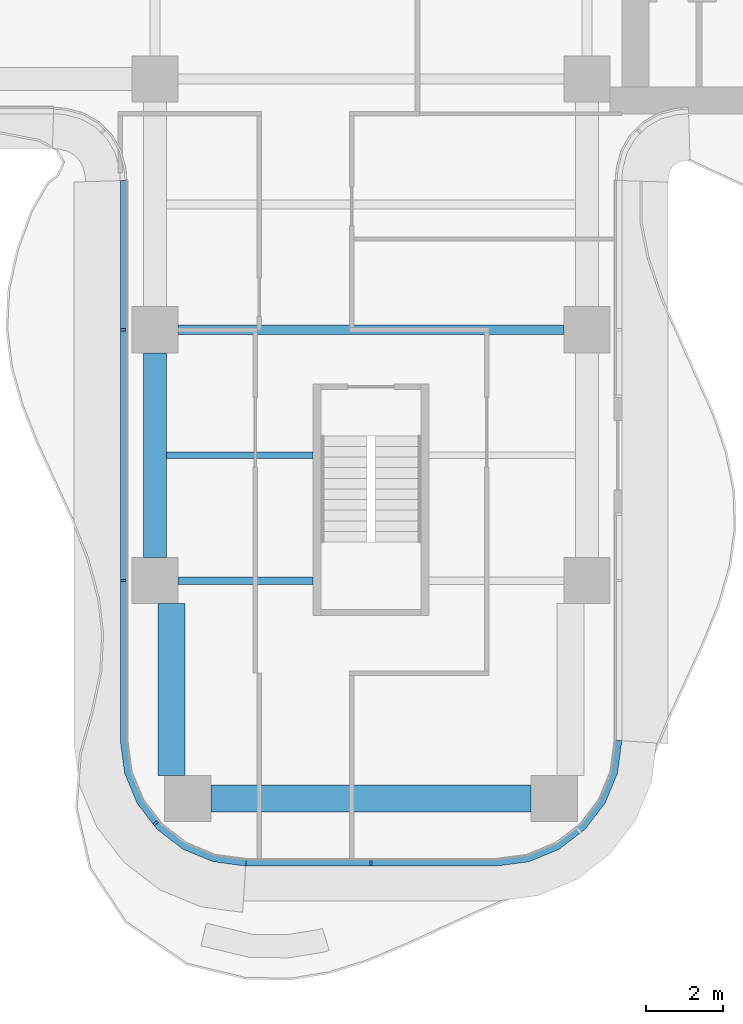
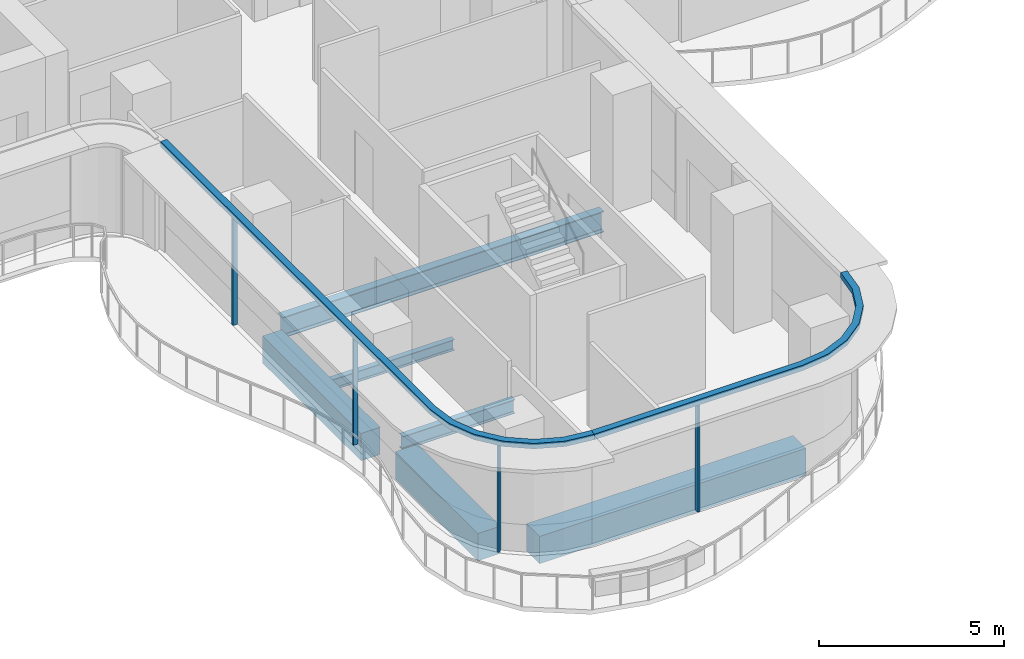
# One storey, part 2 of 18: 6 beams, 6 members, 2 elements without a shape of their own.
"""IFC4 building model written with IfcOpenShell, lengths in metres."""

from ifc_helpers import new_model, si_unit, direction, frame, origin, origin_2d, place, context, subcontext, project, spatial, polyline, rectangle, i_section, outline, extrude, source, transform, mapped, material, layer, layer_set, material_profile, profile_set, type_object, element, aggregate, save


model = new_model("IFC4")

# Units and contexts
model_context = context("Model", 3, precision=1e-05, world=origin(), true_north=direction((0.0, 1.0)))
body_context = subcontext(model_context, "Body", "Model", "MODEL_VIEW")
ifc_project = project(units=[si_unit("LENGTHUNIT", "METRE"), si_unit("AREAUNIT", "SQUARE_METRE"), si_unit("VOLUMEUNIT", "CUBIC_METRE"), si_unit("PLANEANGLEUNIT", "RADIAN"), si_unit("MASSUNIT", "GRAM", prefix="KILO")], contexts=[model_context])

# Site, building, storey
site_placement = place(None, origin())
site = spatial("IfcSite", under=ifc_project, at=site_placement, CompositionType="ELEMENT")
building_placement = place(site_placement, origin())
building = spatial("IfcBuilding", under=site, at=building_placement, Name="Trellis Farm Tower", CompositionType="ELEMENT")
storey_placement = place(building_placement, frame((0.0, 0.0, 193.199951171875)))
storey = spatial("IfcBuildingStorey", under=building, at=storey_placement, Name="L42", CompositionType="ELEMENT", Elevation=193.199951171875)

# Beams
ifc_material_1 = material(Name="Steel S355", Category="steel")
ifc_material_profile_1 = material_profile(ifc_material_1, i_section(OverallWidth=0.1904296875, OverallDepth=0.45703125, WebThickness=0.009033203125, FlangeThickness=0.014404296875, FilletRadius=0.01025390625, at=origin_2d()), Name="UB 457x191x74")
ifc_profile_set_1 = profile_set([ifc_material_profile_1], Name="Steel S355")
beam_type_1 = type_object("IfcBeamType", Name="UB 457x191x74", PredefinedType="BEAM", material=ifc_profile_set_1)
shared_shape_1 = source(origin(), body_context, "Body", "SweptSolid", [
    extrude(i_section(OverallWidth=0.1904296875, OverallDepth=0.45703125, WebThickness=0.009033203125, FlangeThickness=0.014404296875, FilletRadius=0.01025390625, at=origin_2d()), origin(), (0.0, 0.0, 1.0), 3.5),
])
beam_1_placement = place(storey_placement, frame((-5.0, -18.60009765625, -0.428466796875), z_axis=(1.0, 0.0, 0.0), x_axis=(0.0, 1.0, 0.0)))
element("IfcBeam", 1, at=beam_1_placement, inside=storey, type_object=beam_type_1, Name="Girder", PredefinedType="BEAM", context=body_context, shape_type="MappedRepresentation", body=[
    mapped(shared_shape_1, transform((0.0, 0.0, 0.0))),
])
ifc_material_2 = material(Name="Concrete C60/75", Category="concrete")
ifc_material_profile_2 = material_profile(ifc_material_2, rectangle(XDim=0.60009765625, YDim=0.89990234375, at=origin_2d()), Name="RC spandrel beam 600x900 C60/75")
ifc_profile_set_2 = profile_set([ifc_material_profile_2], Name="Concrete C60/75")
beam_type_2 = type_object("IfcBeamType", Name="RC spandrel beam 600x900 C60/75", PredefinedType="SPANDREL", material=ifc_profile_set_2)
shared_shape_2 = source(origin(), body_context, "Body", "SweptSolid", [
    extrude(rectangle(XDim=0.60009765625, YDim=0.89990234375, at=origin_2d()), origin(), (0.0, 0.0, 1.0), 5.300048828125),
])
beam_2_placement = place(storey_placement, frame((-5.60009765625, -18.0, -0.64990234375), z_axis=(0.0, 1.0, 0.0), x_axis=(-1.0, 0.0, 0.0)))
element("IfcBeam", 2, at=beam_2_placement, inside=storey, type_object=beam_type_2, Name="Girder", PredefinedType="SPANDREL", context=body_context, shape_type="MappedRepresentation", body=[
    mapped(shared_shape_2, transform((0.0, 0.0, 0.0))),
])
ifc_material_profile_3 = material_profile(ifc_material_1, i_section(OverallWidth=0.253662109375, OverallDepth=0.68359375, WebThickness=0.012451171875, FlangeThickness=0.021728515625, FilletRadius=0.01513671875, at=origin_2d()), Name="UB 686x254x140")
ifc_profile_set_3 = profile_set([ifc_material_profile_3], Name="Steel S355")
beam_type_3 = type_object("IfcBeamType", Name="UB 686x254x140", PredefinedType="BEAM", material=ifc_profile_set_3)
shared_shape_3 = source(origin(), body_context, "Body", "SweptSolid", [
    extrude(i_section(OverallWidth=0.253662109375, OverallDepth=0.68359375, WebThickness=0.012451171875, FlangeThickness=0.021728515625, FilletRadius=0.01513671875, at=origin_2d()), origin(), (0.0, 0.0, 1.0), 10.0),
])
beam_3_placement = place(storey_placement, frame((-5.0, -12.10009765625, -0.541748046875), z_axis=(1.0, 0.0, 0.0), x_axis=(0.0, 1.0, 0.0)))
element("IfcBeam", 3, at=beam_3_placement, inside=storey, type_object=beam_type_3, Name="Girder", PredefinedType="BEAM", context=body_context, shape_type="MappedRepresentation", body=[
    mapped(shared_shape_3, transform((0.0, 0.0, 0.0))),
])
ifc_material_profile_4 = material_profile(ifc_material_2, rectangle(XDim=0.699951171875, YDim=0.89990234375, at=origin_2d()), Name="RC spandrel beam 700x900 C60/75")
ifc_profile_set_4 = profile_set([ifc_material_profile_4], Name="Concrete C60/75")
beam_type_4 = type_object("IfcBeamType", Name="RC spandrel beam 700x900 C60/75", PredefinedType="SPANDREL", material=ifc_profile_set_4)
shared_shape_4 = source(origin(), body_context, "Body", "SweptSolid", [
    extrude(rectangle(XDim=0.699951171875, YDim=0.89990234375, at=origin_2d()), origin(), (0.0, 0.0, 1.0), 8.2998046875),
])
beam_4_placement = place(storey_placement, frame((-4.14990234375, -24.25, -0.64990234375), z_axis=(1.0, 0.0, 0.0), x_axis=(0.0, 1.0, 0.0)))
element("IfcBeam", 4, at=beam_4_placement, inside=storey, type_object=beam_type_4, Name="Girder", PredefinedType="SPANDREL", context=body_context, shape_type="MappedRepresentation", body=[
    mapped(shared_shape_4, transform((0.0, 0.0, 0.0))),
])
shared_shape_5 = source(origin(), body_context, "Body", "SweptSolid", [
    extrude(rectangle(XDim=0.699951171875, YDim=0.89990234375, at=origin_2d()), origin(), (0.0, 0.0, 1.0), 4.449951171875),
])
beam_5_placement = place(storey_placement, frame((-5.175048828125, -23.64990234375, -0.64990234375), z_axis=(0.0, 1.0, 0.0), x_axis=(-1.0, 0.0, 0.0)))
element("IfcBeam", 5, at=beam_5_placement, inside=storey, type_object=beam_type_4, Name="Girder", PredefinedType="SPANDREL", context=body_context, shape_type="MappedRepresentation", body=[
    mapped(shared_shape_5, transform((0.0, 0.0, 0.0))),
])
ifc_material_profile_5 = material_profile(ifc_material_1, i_section(OverallWidth=0.17138671875, OverallDepth=0.35498046875, WebThickness=0.00732421875, FlangeThickness=0.011474609375, FilletRadius=0.01025390625, at=origin_2d()), Name="UB 356x171x51")
ifc_profile_set_5 = profile_set([ifc_material_profile_5], Name="Steel S355")
beam_type_5 = type_object("IfcBeamType", Name="UB 356x171x51 joist", PredefinedType="JOIST", material=ifc_profile_set_5)
shared_shape_6 = source(origin(), body_context, "Body", "SweptSolid", [
    extrude(i_section(OverallWidth=0.17138671875, OverallDepth=0.35498046875, WebThickness=0.00732421875, FlangeThickness=0.011474609375, FilletRadius=0.01025390625, at=origin_2d()), origin(), (0.0, 0.0, 1.0), 3.800048828125),
])
beam_6_placement = place(storey_placement, frame((-5.300048828125, -15.35009765625, -0.37744140625), z_axis=(1.0, 0.0, 0.0), x_axis=(0.0, 1.0, 0.0)))
element("IfcBeam", 6, at=beam_6_placement, inside=storey, type_object=beam_type_5, Name="Floor beam", PredefinedType="JOIST", context=body_context, shape_type="MappedRepresentation", body=[
    mapped(shared_shape_6, transform((0.0, 0.0, 0.0))),
])

# Curtain wall, member
ifc_material_3 = material(Name="Aluminium and glass curtain wall", Category="aluminium")
ifc_layer_1 = layer(ifc_material_3, 0.18994140625)
ifc_layer_set_1 = layer_set([ifc_layer_1], Name="RIBBON CURTAIN WALL CW1")
curtain_wall_type = type_object("IfcCurtainWallType", Name="RIBBON CURTAIN WALL CW1", PredefinedType="NOTDEFINED", material=ifc_layer_set_1)
placement_1 = place(storey_placement, origin())
curtain_wall_1 = element("IfcCurtainWall", 7, at=placement_1, inside=storey, type_object=curtain_wall_type, Name="CW1 002", PredefinedType="NOTDEFINED")
ifc_material_4 = material(Name="Aluminium extrusion 6063-T6", Category="aluminium")
ifc_layer_2 = layer(ifc_material_4, 0.199951171875)
ifc_layer_set_2 = layer_set([ifc_layer_2], Name="Aluminium extrusion 6063-T6")
member_type_1 = type_object("IfcMemberType", Name="CW1 TRANSOM 200x180", PredefinedType="USERDEFINED", material=ifc_layer_set_2)
shared_shape_7 = source(origin(), body_context, "Body", "SweptSolid", [
    extrude(outline(polyline([(-6.5, -8.2314453125), (-6.5, -22.75), (-6.38916015625, -23.591064453125), (-6.064697265625, -24.375), (-5.548095703125, -25.048095703125), (-4.875, -25.564697265625), (-4.091064453125, -25.88916015625), (-3.25, -26.0), (-3.23681640625, -25.800048828125), (-4.0390625, -25.6943359375), (-4.774169921875, -25.389892578125), (-5.405517578125, -24.905517578125), (-5.889892578125, -24.274169921875), (-6.1943359375, -23.5390625), (-6.300048828125, -22.73681640625), (-6.300048828125, -8.224853515625), (-6.5, -8.2314453125)])), origin(), (0.0, 0.0, 1.0), 0.179931640625),
])
placement_2 = place(storey_placement, frame((0.0, 0.0, 3.52001953125)))
member_1 = element("IfcMember", 8, at=placement_2, type_object=member_type_1, Name="TR1 002", ObjectType="TRANSOM", PredefinedType="USERDEFINED", context=body_context, shape_type="MappedRepresentation", body=[
    mapped(shared_shape_7, transform((0.0, 0.0, 0.0))),
])

curtain_wall_2 = element("IfcCurtainWall", 9, at=placement_1, inside=storey, type_object=curtain_wall_type, Name="CW1 003", PredefinedType="NOTDEFINED")
shared_shape_8 = source(origin(), body_context, "Body", "SweptSolid", [
    extrude(outline(polyline([(-3.25, -26.0), (3.25, -26.0), (4.091064453125, -25.88916015625), (4.875, -25.564697265625), (5.548095703125, -25.048095703125), (6.064697265625, -24.375), (6.38916015625, -23.591064453125), (6.5, -22.75), (6.300048828125, -22.73681640625), (6.1943359375, -23.5390625), (5.889892578125, -24.274169921875), (5.405517578125, -24.905517578125), (4.774169921875, -25.389892578125), (4.0390625, -25.6943359375), (3.23681640625, -25.800048828125), (-3.23681640625, -25.800048828125), (-3.25, -26.0)])), origin(), (0.0, 0.0, 1.0), 0.179931640625),
])
member_2 = element("IfcMember", 10, at=placement_2, type_object=member_type_1, Name="TR1 003", ObjectType="TRANSOM", PredefinedType="USERDEFINED", context=body_context, shape_type="MappedRepresentation", body=[
    mapped(shared_shape_8, transform((0.0, 0.0, 0.0))),
])

# Member
ifc_material_profile_6 = material_profile(ifc_material_4, rectangle(XDim=0.06005859375, YDim=0.14990234375, at=origin_2d()), Name="MULLION 60x150")
ifc_profile_set_6 = profile_set([ifc_material_profile_6], Name="Aluminium extrusion 6063-T6")
member_type_2 = type_object("IfcMemberType", Name="CW1 MULLION 60x150", PredefinedType="MULLION", material=ifc_profile_set_6)
shared_shape_9 = source(origin(), body_context, "Body", "SweptSolid", [
    extrude(rectangle(XDim=0.06005859375, YDim=0.14990234375, at=origin_2d()), origin(), (0.0, 0.0, 1.0), 3.52001953125),
])
member_3_placement = place(storey_placement, frame((-6.425048828125, -12.10009765625, 0.0), z_axis=(0.0, 0.0, 1.0), x_axis=(0.0, -1.0, 0.0)))
member_3 = element("IfcMember", 11, at=member_3_placement, type_object=member_type_2, Name="MU1 002-01", PredefinedType="MULLION", context=body_context, shape_type="MappedRepresentation", body=[
    mapped(shared_shape_9, transform((0.0, 0.0, 0.0))),
])

member_4_placement = place(storey_placement, frame((-6.425048828125, -18.60009765625, 0.0), z_axis=(0.0, 0.0, 1.0), x_axis=(0.0, -1.0, 0.0)))
member_4 = element("IfcMember", 12, at=member_4_placement, type_object=member_type_2, Name="MU1 002-02", PredefinedType="MULLION", context=body_context, shape_type="MappedRepresentation", body=[
    mapped(shared_shape_9, transform((0.0, 0.0, 0.0))),
])

member_5_placement = place(storey_placement, frame((-5.578369140625, -24.885498046875, 0.0), z_axis=(0.0, 0.0, 1.0), x_axis=(0.608761429009, -0.793353340291, 0.0)))
member_5 = element("IfcMember", 13, at=member_5_placement, type_object=member_type_2, Name="MU1 002-03", PredefinedType="MULLION", context=body_context, shape_type="MappedRepresentation", body=[
    mapped(shared_shape_9, transform((0.0, 0.0, 0.0))),
])

aggregate(curtain_wall_1, [member_3, member_4, member_5, member_1])

member_6_placement = place(storey_placement, frame((0.0, -25.925048828125, 0.0), z_axis=(0.0, 0.0, 1.0), x_axis=(1.0, 0.0, 0.0)))
member_6 = element("IfcMember", 14, at=member_6_placement, type_object=member_type_2, Name="MU1 003-01", PredefinedType="MULLION", context=body_context, shape_type="MappedRepresentation", body=[
    mapped(shared_shape_9, transform((0.0, 0.0, 0.0))),
])

aggregate(curtain_wall_2, [member_6, member_2])

save(model, "model.ifc")
